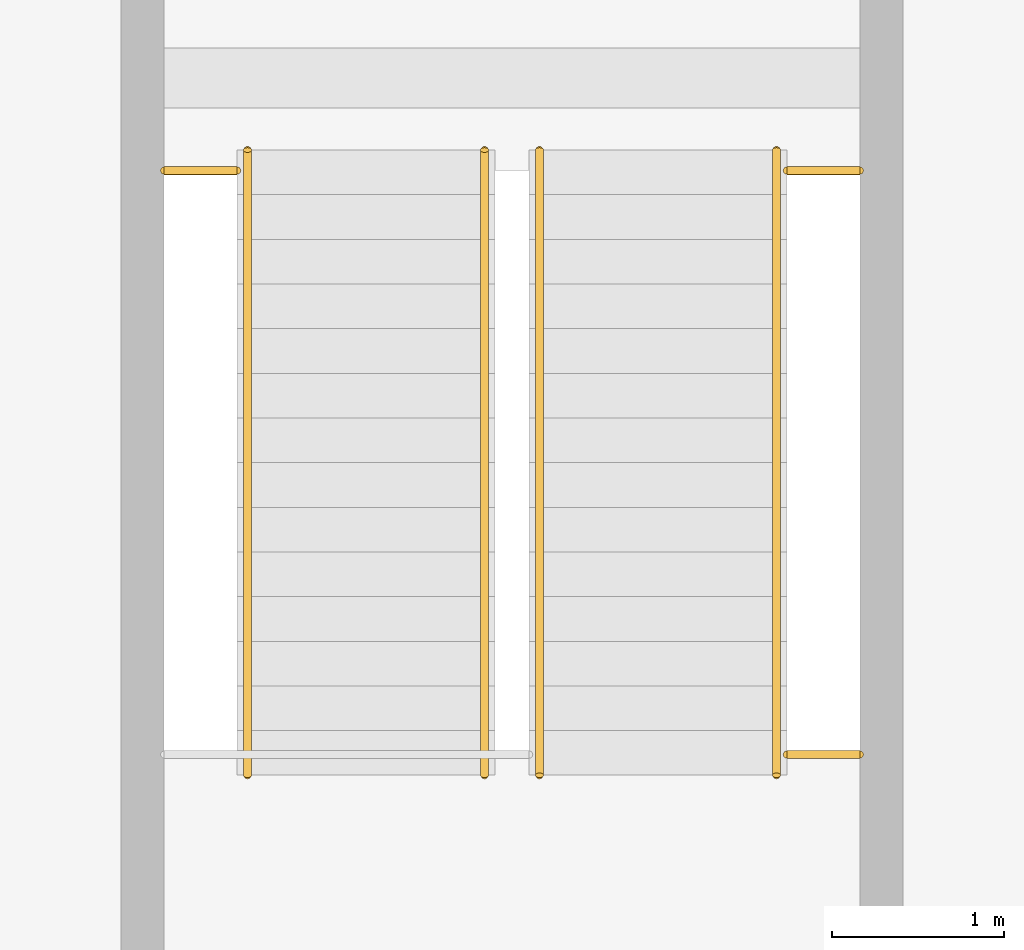
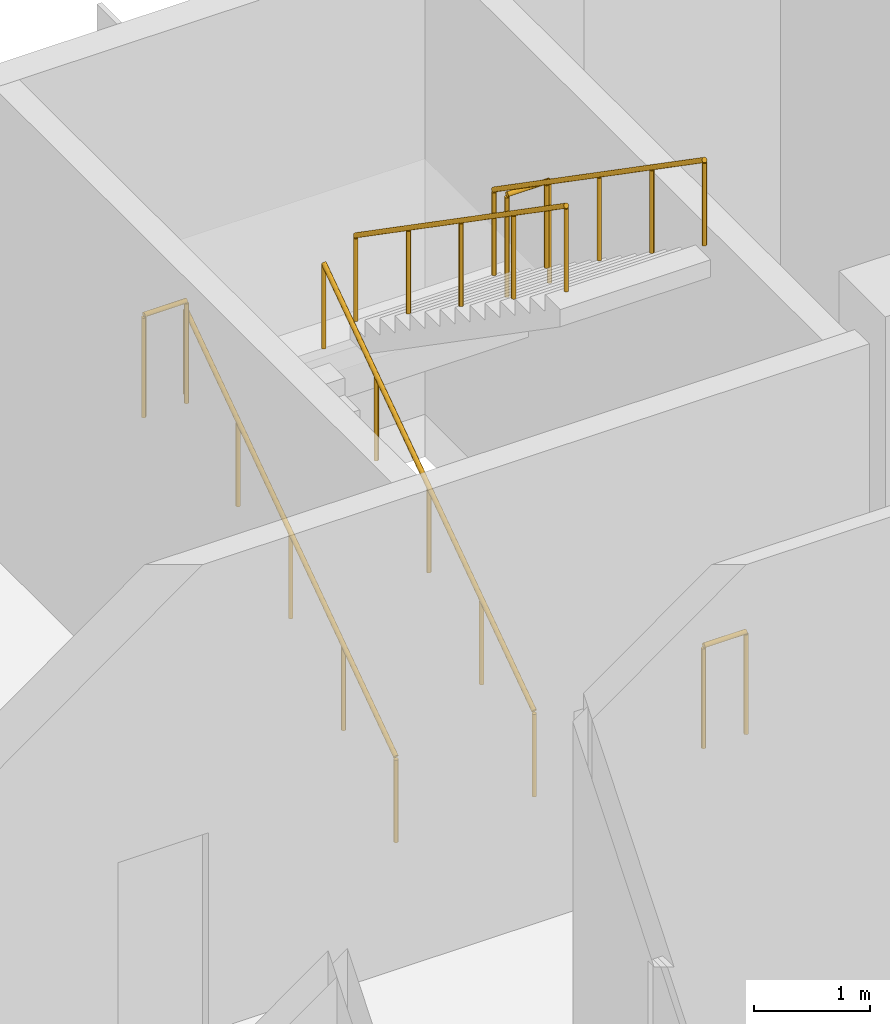
# One storey, part 38 of 38: 7 railings.
"""IFC4 building model written with IfcOpenShell, lengths in metres."""

import ifcopenshell
import ifcopenshell.guid

model = None  # the IFC model being written
_history = None  # IfcOwnerHistory: only IFC2X3 demands one
_inside = {}  # id of a spatial element -> (the spatial element, [elements in it])
_under = {}  # id of a project, library or spatial element -> (it, [spatial elements below it])
_declared = {}  # id of a project -> (the project, [libraries it declares])
_typed = {}  # id of a type object -> (the type object, [elements of that type])
_made_of = {}  # id of a material, layer set ... -> (it, [elements and type objects made of it])


def new_model(schema):
    """Start an empty IFC model of exactly this schema.

    Asked for "IFC4X3", IfcOpenShell would pick the latest addendum, in which some entities
    have other attributes; the version numbers below select the first issue.
    IFC2X3 requires an IfcOwnerHistory on every rooted entity: one is made here for all.
    """
    global model, _history
    if schema == "IFC4X3":
        model = ifcopenshell.file(schema_version=(4, 3, 0, 0))
    else:
        model = ifcopenshell.file(schema=schema)
    _inside.clear()
    _under.clear()
    _declared.clear()
    _typed.clear()
    _made_of.clear()
    _history = None
    if model.schema == "IFC2X3":
        org = make("IfcOrganization", Name="unknown")
        user = make(
            "IfcPersonAndOrganization",
            ThePerson=make("IfcPerson", FamilyName="unknown"),
            TheOrganization=org,
        )
        app = make(
            "IfcApplication",
            ApplicationDeveloper=org,
            Version="unknown",
            ApplicationFullName="unknown",
            ApplicationIdentifier="unknown",
        )
        _history = make(
            "IfcOwnerHistory",
            OwningUser=user,
            OwningApplication=app,
            ChangeAction="ADDED",
            CreationDate=0,
        )
    return model


def make(cls, **values):
    """One entity of the class cls with the attributes given. An attribute that is None is left unset."""
    return model.create_entity(
        cls, **{name: value for name, value in values.items() if value is not None}
    )


def rooted(cls, **values):
    """An entity with a GlobalId (a new one), such as an element, a storey or a relation."""
    return make(cls, GlobalId=ifcopenshell.guid.new(), OwnerHistory=_history, **values)


def si_unit(unit_type, name, prefix=None):
    """IfcSIUnit, for example si_unit("LENGTHUNIT", "METRE", prefix="MILLI")."""
    return make("IfcSIUnit", UnitType=unit_type, Prefix=prefix, Name=name)


def assignment(units):
    """IfcUnitAssignment: the units of a project."""
    return None if units is None else make("IfcUnitAssignment", Units=units)


def point(xyz):
    """IfcCartesianPoint."""
    return None if xyz is None else make("IfcCartesianPoint", Coordinates=xyz)


def direction(xyz):
    """IfcDirection."""
    return None if xyz is None else make("IfcDirection", DirectionRatios=xyz)


def frame(location, z_axis=None, x_axis=None):
    """IfcAxis2Placement3D, a coordinate frame: its origin and axes. An axis left out is left unset."""
    return make(
        "IfcAxis2Placement3D",
        Location=point(location),
        Axis=direction(z_axis),
        RefDirection=direction(x_axis),
    )


def frame_2d(location, x_axis=None):
    """IfcAxis2Placement2D, a coordinate frame in the plane: its origin and x axis."""
    return make(
        "IfcAxis2Placement2D", Location=point(location), RefDirection=direction(x_axis)
    )


def origin():
    """The frame at (0, 0, 0) with its axes left unset."""
    return frame((0.0, 0.0, 0.0))


def origin_2d():
    """The frame at (0, 0) in the plane with its x axis left unset."""
    return frame_2d((0.0, 0.0))


def place(relative_to, where):
    """IfcLocalPlacement: puts the frame where relative to a parent placement (None: the world)."""
    return make(
        "IfcLocalPlacement", PlacementRelTo=relative_to, RelativePlacement=where
    )


def context(
    kind, dimensions, precision=None, world=None, true_north=None, identifier=None
):
    """IfcGeometricRepresentationContext, for example the 3D "Model" context."""
    return make(
        "IfcGeometricRepresentationContext",
        ContextIdentifier=identifier,
        ContextType=kind,
        CoordinateSpaceDimension=dimensions,
        Precision=precision,
        WorldCoordinateSystem=world,
        TrueNorth=true_north,
    )


def subcontext(parent, identifier, kind, view, scale=None):
    """IfcGeometricRepresentationSubContext, for example "Body" below "Model"."""
    return make(
        "IfcGeometricRepresentationSubContext",
        ContextIdentifier=identifier,
        ContextType=kind,
        ParentContext=parent,
        TargetScale=scale,
        TargetView=view,
    )


def project(units=None, contexts=None):
    """IfcProject with its units and contexts."""
    return rooted(
        "IfcProject",
        Name="project",
        RepresentationContexts=contexts,
        UnitsInContext=assignment(units),
    )


def spatial(cls, under=None, at=None, **own):
    """A site, building, storey or space (cls), placed at a placement, below another one or the project."""
    s = rooted(cls, ObjectPlacement=at, **own)
    if under is not None:
        _under.setdefault(under.id(), (under, []))[1].append(s)
    return s


def profile(cls, at=None, kind="AREA", **sizes):
    """A parametric profile (cls). Its sizes go by their IFC names, for example OverallWidth=200.0."""
    return make(cls, ProfileType=kind, Position=at, **sizes)


def circle(**sizes):
    """IfcCircleProfileDef."""
    return profile("IfcCircleProfileDef", **sizes)


def extrude(swept, where, along, depth):
    """IfcExtrudedAreaSolid: the profile swept, set in the frame where, extruded along a direction by depth."""
    return make(
        "IfcExtrudedAreaSolid",
        SweptArea=swept,
        Position=where,
        ExtrudedDirection=direction(along),
        Depth=depth,
    )


def shape(context_of_items, identifier, shape_type, items):
    """IfcShapeRepresentation: the items that make up one representation, for example the "Body"."""
    return make(
        "IfcShapeRepresentation",
        ContextOfItems=context_of_items,
        RepresentationIdentifier=identifier,
        RepresentationType=shape_type,
        Items=items,
    )


def material(Name=None, Category=None):
    """IfcMaterial."""
    return make("IfcMaterial", Name=Name, Category=Category)


def made_of(thing, what):
    """Note that an element or type object is made of a material, layer set ...; save() writes the relation."""
    if what is not None:
        _made_of.setdefault(what.id(), (what, []))[1].append(thing)
    return thing


def type_object(cls, material=None, **own):
    """A type object (cls), such as IfcWallType, which elements share."""
    return made_of(rooted(cls, **own), material)


def element(
    cls,
    number,
    at=None,
    inside=None,
    cuts=None,
    type_object=None,
    material=None,
    context=None,
    identifier="Body",
    shape_type=None,
    held_by="IfcProductDefinitionShape",
    body=None,
    shapes=None,
    **own,
):
    """One element of the class cls, such as IfcWall. Its Tag is "e" and its number.

    at: its placement. inside: the storey or other place that contains it. cuts: it is an
    opening in that element (IfcRelVoidsElement). A single representation is given by context,
    identifier, shape_type and body (its items); several are given by shapes. held_by: the class
    of the entity that holds the representations. save() writes the other relations.
    """
    e = rooted(cls, Tag="e%d" % number, ObjectPlacement=at, **own)
    if body is not None:
        shapes = [shape(context, identifier, shape_type, body)]
    if shapes is not None:
        e.Representation = make(held_by, Representations=shapes)
    if inside is not None:
        _inside.setdefault(inside.id(), (inside, []))[1].append(e)
    if cuts is not None:
        rooted(
            "IfcRelVoidsElement", RelatingBuildingElement=cuts, RelatedOpeningElement=e
        )
    if type_object is not None:
        _typed.setdefault(type_object.id(), (type_object, []))[1].append(e)
    return made_of(e, material)


def aggregate(whole, parts):
    """IfcRelAggregates: a whole, such as a stair, and the parts it consists of."""
    return rooted("IfcRelAggregates", RelatingObject=whole, RelatedObjects=parts)


def save(model, path):
    """Write the relations noted so far, then the file.

    IfcRelAggregates (storeys below a building ...), IfcRelContainedInSpatialStructure (elements
    in a storey), IfcRelDefinesByType, IfcRelAssociatesMaterial and IfcRelDeclares: one each for
    every whole, place, type object, material and project.
    """
    for whole, parts in _under.values():
        aggregate(whole, parts)
    for where, things in _inside.values():
        rooted(
            "IfcRelContainedInSpatialStructure",
            RelatedElements=things,
            RelatingStructure=where,
        )
    for kind, things in _typed.values():
        rooted("IfcRelDefinesByType", RelatedObjects=things, RelatingType=kind)
    for what, things in _made_of.values():
        rooted("IfcRelAssociatesMaterial", RelatedObjects=things, RelatingMaterial=what)
    for by, libraries in _declared.values():
        rooted("IfcRelDeclares", RelatingContext=by, RelatedDefinitions=libraries)
    model.write(path)


model = new_model("IFC4")

# Units and contexts
model_context = context("Model", 3, precision=1e-05, world=origin(), true_north=direction((0.0, 1.0)))
body_context = subcontext(model_context, "Body", "Model", "MODEL_VIEW")
ifc_project = project(units=[si_unit("LENGTHUNIT", "METRE"), si_unit("AREAUNIT", "SQUARE_METRE"), si_unit("VOLUMEUNIT", "CUBIC_METRE"), si_unit("PLANEANGLEUNIT", "RADIAN"), si_unit("MASSUNIT", "GRAM", prefix="KILO")], contexts=[model_context])

# Site, building, storey
site_placement = place(None, origin())
site = spatial("IfcSite", under=ifc_project, at=site_placement, CompositionType="ELEMENT")
building_placement = place(site_placement, origin())
building = spatial("IfcBuilding", under=site, at=building_placement, Name="Basin Gate Institute", CompositionType="ELEMENT")
storey_placement = place(building_placement, frame((0.0, 0.0, 16.800048828125)))
storey = spatial("IfcBuildingStorey", under=building, at=storey_placement, Name="L03", CompositionType="ELEMENT", Elevation=16.800048828125)

# Railings
ifc_material_1 = material(Name="Stainless steel tube and glass infill", Category="steel")
railing_type_1 = type_object("IfcRailingType", Name="Block railing 1100", PredefinedType="GUARDRAIL", material=ifc_material_1)
for number, where, name in (
    (1, (143.25, 101.2451171875, 0.0), "Guard stairwell ST-C7 L03 east"),
    (2, (139.625, 104.64501953125, 2.699951171875), "Guard stair landing ST-C8 L03"),
    (3, (143.25, 104.64501953125, 2.699951171875), "Guard stair landing ST-C8 L03"),
):
    element("IfcRailing", number, at=place(storey_placement, frame(where)), inside=storey, type_object=railing_type_1, material=ifc_material_1, Name=name, PredefinedType="GUARDRAIL", context=body_context, shape_type="SweptSolid", body=[
        extrude(circle(Radius=0.02392578125, at=origin_2d()), frame((0.0, 0.0, 1.076171875), z_axis=(1.0, 0.0, 0.0), x_axis=(0.0, 1.0, 0.0)), (0.0, 0.0, 1.0), 0.425048828125),
        extrude(circle(Radius=0.02099609375, at=origin_2d()), origin(), (0.0, 0.0, 1.0), 1.052001953125),
        extrude(circle(Radius=0.02099609375, at=origin_2d()), frame((0.425048828125, 0.0, 0.0)), (0.0, 0.0, 1.0), 1.052001953125),
    ])
ifc_material_2 = material(Name="Stainless steel tube and glass infill", Category="steel")
railing_type_2 = type_object("IfcRailingType", Name="Block railing 920", PredefinedType="HANDRAIL", material=ifc_material_2)
for number, where, name in (
    (4, (140.110107421875, 101.125, 0.179931640625), "Handrail ST-C8 flight 1"),
    (5, (141.489990234375, 101.125, 0.179931640625), "Handrail ST-C8 flight 1"),
):
    element("IfcRailing", number, at=place(storey_placement, frame(where)), inside=storey, type_object=railing_type_2, material=ifc_material_2, Name=name, PredefinedType="HANDRAIL", context=body_context, shape_type="SweptSolid", body=[
        extrude(circle(Radius=0.02392578125, at=origin_2d()), frame((0.0, 0.0, 0.89599609375), z_axis=(0.0, 0.822182265111, 0.569224316888), x_axis=(-1.0, 0.0, 0.0)), (0.0, 0.0, 1.0), 4.427001953125),
        extrude(circle(Radius=0.02099609375, at=origin_2d()), origin(), (0.0, 0.0, 1.0), 0.871826171875),
        extrude(circle(Radius=0.02099609375, at=origin_2d()), frame((0.0, 0.909912109375, 0.6298828125)), (0.0, 0.0, 1.0), 0.871826171875),
        extrude(circle(Radius=0.02099609375, at=origin_2d()), frame((0.0, 1.81982421875, 1.260009765625)), (0.0, 0.0, 1.0), 0.871826171875),
        extrude(circle(Radius=0.02099609375, at=origin_2d()), frame((0.0, 2.72998046875, 1.89013671875)), (0.0, 0.0, 1.0), 0.871826171875),
        extrude(circle(Radius=0.02099609375, at=origin_2d()), frame((0.0, 3.639892578125, 2.52001953125)), (0.0, 0.0, 1.0), 0.871826171875),
    ])
for number, where, name in (
    (6, (141.81005859375, 104.764892578125, 2.8798828125), "Handrail ST-C8 flight 2"),
    (7, (143.18994140625, 104.764892578125, 2.8798828125), "Handrail ST-C8 flight 2"),
):
    element("IfcRailing", number, at=place(storey_placement, frame(where)), inside=storey, type_object=railing_type_2, material=ifc_material_2, Name=name, PredefinedType="HANDRAIL", context=body_context, shape_type="SweptSolid", body=[
        extrude(circle(Radius=0.02392578125, at=origin_2d()), frame((0.0, 0.0, 0.89599609375), z_axis=(0.0, -0.822182265111, 0.569224316888), x_axis=(1.0, 0.0, 0.0)), (0.0, 0.0, 1.0), 4.427001953125),
        extrude(circle(Radius=0.02099609375, at=origin_2d()), origin(), (0.0, 0.0, 1.0), 0.871826171875),
        extrude(circle(Radius=0.02099609375, at=origin_2d()), frame((0.0, -0.909912109375, 0.6298828125)), (0.0, 0.0, 1.0), 0.871826171875),
        extrude(circle(Radius=0.02099609375, at=origin_2d()), frame((0.0, -1.81982421875, 1.260009765625)), (0.0, 0.0, 1.0), 0.871826171875),
        extrude(circle(Radius=0.02099609375, at=origin_2d()), frame((0.0, -2.72998046875, 1.89013671875)), (0.0, 0.0, 1.0), 0.871826171875),
        extrude(circle(Radius=0.02099609375, at=origin_2d()), frame((0.0, -3.639892578125, 2.52001953125)), (0.0, 0.0, 1.0), 0.871826171875),
    ])

save(model, "model.ifc")
